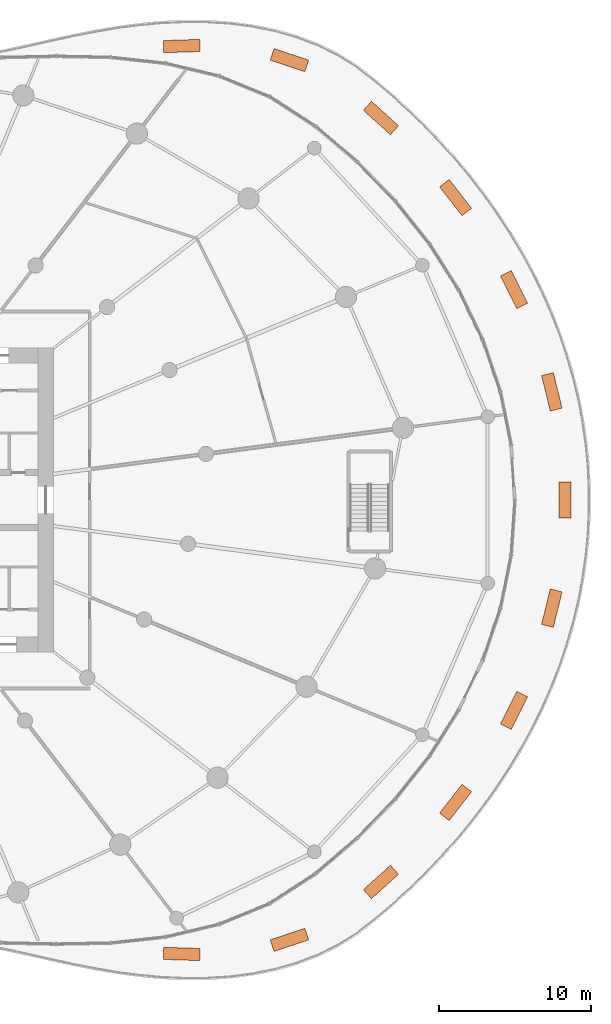
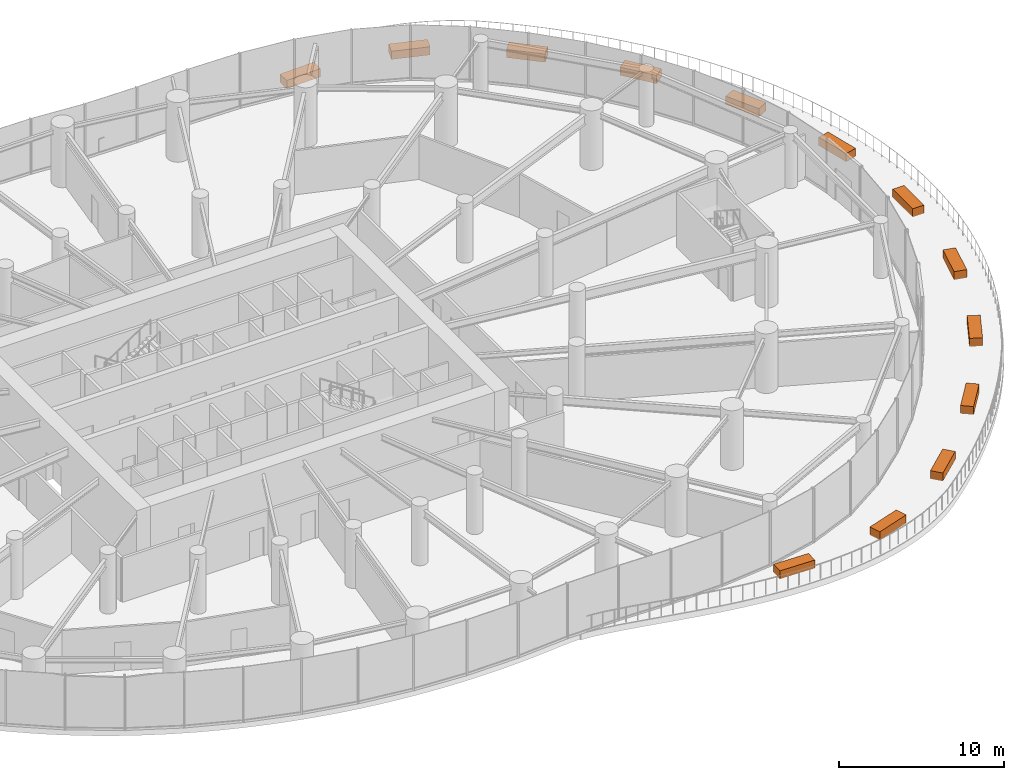
# One storey, part 19 of 19: 13 proxies.
"""IFC4 building model written with IfcOpenShell, lengths in metres."""

import ifcopenshell
import ifcopenshell.guid

model = None  # the IFC model being written
_history = None  # IfcOwnerHistory: only IFC2X3 demands one
_inside = {}  # id of a spatial element -> (the spatial element, [elements in it])
_under = {}  # id of a project, library or spatial element -> (it, [spatial elements below it])
_declared = {}  # id of a project -> (the project, [libraries it declares])
_typed = {}  # id of a type object -> (the type object, [elements of that type])
_made_of = {}  # id of a material, layer set ... -> (it, [elements and type objects made of it])


def new_model(schema):
    """Start an empty IFC model of exactly this schema.

    Asked for "IFC4X3", IfcOpenShell would pick the latest addendum, in which some entities
    have other attributes; the version numbers below select the first issue.
    IFC2X3 requires an IfcOwnerHistory on every rooted entity: one is made here for all.
    """
    global model, _history
    if schema == "IFC4X3":
        model = ifcopenshell.file(schema_version=(4, 3, 0, 0))
    else:
        model = ifcopenshell.file(schema=schema)
    _inside.clear()
    _under.clear()
    _declared.clear()
    _typed.clear()
    _made_of.clear()
    _history = None
    if model.schema == "IFC2X3":
        org = make("IfcOrganization", Name="unknown")
        user = make(
            "IfcPersonAndOrganization",
            ThePerson=make("IfcPerson", FamilyName="unknown"),
            TheOrganization=org,
        )
        app = make(
            "IfcApplication",
            ApplicationDeveloper=org,
            Version="unknown",
            ApplicationFullName="unknown",
            ApplicationIdentifier="unknown",
        )
        _history = make(
            "IfcOwnerHistory",
            OwningUser=user,
            OwningApplication=app,
            ChangeAction="ADDED",
            CreationDate=0,
        )
    return model


def make(cls, **values):
    """One entity of the class cls with the attributes given. An attribute that is None is left unset."""
    return model.create_entity(
        cls, **{name: value for name, value in values.items() if value is not None}
    )


def rooted(cls, **values):
    """An entity with a GlobalId (a new one), such as an element, a storey or a relation."""
    return make(cls, GlobalId=ifcopenshell.guid.new(), OwnerHistory=_history, **values)


def si_unit(unit_type, name, prefix=None):
    """IfcSIUnit, for example si_unit("LENGTHUNIT", "METRE", prefix="MILLI")."""
    return make("IfcSIUnit", UnitType=unit_type, Prefix=prefix, Name=name)


def assignment(units):
    """IfcUnitAssignment: the units of a project."""
    return None if units is None else make("IfcUnitAssignment", Units=units)


def point(xyz):
    """IfcCartesianPoint."""
    return None if xyz is None else make("IfcCartesianPoint", Coordinates=xyz)


def direction(xyz):
    """IfcDirection."""
    return None if xyz is None else make("IfcDirection", DirectionRatios=xyz)


def frame(location, z_axis=None, x_axis=None):
    """IfcAxis2Placement3D, a coordinate frame: its origin and axes. An axis left out is left unset."""
    return make(
        "IfcAxis2Placement3D",
        Location=point(location),
        Axis=direction(z_axis),
        RefDirection=direction(x_axis),
    )


def frame_2d(location, x_axis=None):
    """IfcAxis2Placement2D, a coordinate frame in the plane: its origin and x axis."""
    return make(
        "IfcAxis2Placement2D", Location=point(location), RefDirection=direction(x_axis)
    )


def origin():
    """The frame at (0, 0, 0) with its axes left unset."""
    return frame((0.0, 0.0, 0.0))


def origin_2d():
    """The frame at (0, 0) in the plane with its x axis left unset."""
    return frame_2d((0.0, 0.0))


def place(relative_to, where):
    """IfcLocalPlacement: puts the frame where relative to a parent placement (None: the world)."""
    return make(
        "IfcLocalPlacement", PlacementRelTo=relative_to, RelativePlacement=where
    )


def context(
    kind, dimensions, precision=None, world=None, true_north=None, identifier=None
):
    """IfcGeometricRepresentationContext, for example the 3D "Model" context."""
    return make(
        "IfcGeometricRepresentationContext",
        ContextIdentifier=identifier,
        ContextType=kind,
        CoordinateSpaceDimension=dimensions,
        Precision=precision,
        WorldCoordinateSystem=world,
        TrueNorth=true_north,
    )


def subcontext(parent, identifier, kind, view, scale=None):
    """IfcGeometricRepresentationSubContext, for example "Body" below "Model"."""
    return make(
        "IfcGeometricRepresentationSubContext",
        ContextIdentifier=identifier,
        ContextType=kind,
        ParentContext=parent,
        TargetScale=scale,
        TargetView=view,
    )


def project(units=None, contexts=None):
    """IfcProject with its units and contexts."""
    return rooted(
        "IfcProject",
        Name="project",
        RepresentationContexts=contexts,
        UnitsInContext=assignment(units),
    )


def spatial(cls, under=None, at=None, **own):
    """A site, building, storey or space (cls), placed at a placement, below another one or the project."""
    s = rooted(cls, ObjectPlacement=at, **own)
    if under is not None:
        _under.setdefault(under.id(), (under, []))[1].append(s)
    return s


def profile(cls, at=None, kind="AREA", **sizes):
    """A parametric profile (cls). Its sizes go by their IFC names, for example OverallWidth=200.0."""
    return make(cls, ProfileType=kind, Position=at, **sizes)


def rectangle(**sizes):
    """IfcRectangleProfileDef."""
    return profile("IfcRectangleProfileDef", **sizes)


def extrude(swept, where, along, depth):
    """IfcExtrudedAreaSolid: the profile swept, set in the frame where, extruded along a direction by depth."""
    return make(
        "IfcExtrudedAreaSolid",
        SweptArea=swept,
        Position=where,
        ExtrudedDirection=direction(along),
        Depth=depth,
    )


def shape(context_of_items, identifier, shape_type, items):
    """IfcShapeRepresentation: the items that make up one representation, for example the "Body"."""
    return make(
        "IfcShapeRepresentation",
        ContextOfItems=context_of_items,
        RepresentationIdentifier=identifier,
        RepresentationType=shape_type,
        Items=items,
    )


def source(mapping_origin, context_of_items, identifier, shape_type, items):
    """IfcRepresentationMap: a shape defined once, which mapped items show again and again."""
    return make(
        "IfcRepresentationMap",
        MappingOrigin=mapping_origin,
        MappedRepresentation=shape(context_of_items, identifier, shape_type, items),
    )


def transform(
    local_origin,
    x_axis=None,
    y_axis=None,
    z_axis=None,
    scale=None,
    scale2=None,
    scale3=None,
    uniform=True,
):
    """IfcCartesianTransformationOperator3D, or its non-uniform kind. x_axis, y_axis, z_axis: its Axis1, 2, 3."""
    if uniform:
        return make(
            "IfcCartesianTransformationOperator3D",
            Axis1=direction(x_axis),
            Axis2=direction(y_axis),
            LocalOrigin=point(local_origin),
            Scale=scale,
            Axis3=direction(z_axis),
        )
    return make(
        "IfcCartesianTransformationOperator3DnonUniform",
        Axis1=direction(x_axis),
        Axis2=direction(y_axis),
        LocalOrigin=point(local_origin),
        Scale=scale,
        Axis3=direction(z_axis),
        Scale2=scale2,
        Scale3=scale3,
    )


def mapped(mapping_source, mapping_target):
    """IfcMappedItem: shows the shape of a source again, moved by a transform."""
    return make(
        "IfcMappedItem", MappingSource=mapping_source, MappingTarget=mapping_target
    )


def made_of(thing, what):
    """Note that an element or type object is made of a material, layer set ...; save() writes the relation."""
    if what is not None:
        _made_of.setdefault(what.id(), (what, []))[1].append(thing)
    return thing


def element(
    cls,
    number,
    at=None,
    inside=None,
    cuts=None,
    type_object=None,
    material=None,
    context=None,
    identifier="Body",
    shape_type=None,
    held_by="IfcProductDefinitionShape",
    body=None,
    shapes=None,
    **own,
):
    """One element of the class cls, such as IfcWall. Its Tag is "e" and its number.

    at: its placement. inside: the storey or other place that contains it. cuts: it is an
    opening in that element (IfcRelVoidsElement). A single representation is given by context,
    identifier, shape_type and body (its items); several are given by shapes. held_by: the class
    of the entity that holds the representations. save() writes the other relations.
    """
    e = rooted(cls, Tag="e%d" % number, ObjectPlacement=at, **own)
    if body is not None:
        shapes = [shape(context, identifier, shape_type, body)]
    if shapes is not None:
        e.Representation = make(held_by, Representations=shapes)
    if inside is not None:
        _inside.setdefault(inside.id(), (inside, []))[1].append(e)
    if cuts is not None:
        rooted(
            "IfcRelVoidsElement", RelatingBuildingElement=cuts, RelatedOpeningElement=e
        )
    if type_object is not None:
        _typed.setdefault(type_object.id(), (type_object, []))[1].append(e)
    return made_of(e, material)


def aggregate(whole, parts):
    """IfcRelAggregates: a whole, such as a stair, and the parts it consists of."""
    return rooted("IfcRelAggregates", RelatingObject=whole, RelatedObjects=parts)


def save(model, path):
    """Write the relations noted so far, then the file.

    IfcRelAggregates (storeys below a building ...), IfcRelContainedInSpatialStructure (elements
    in a storey), IfcRelDefinesByType, IfcRelAssociatesMaterial and IfcRelDeclares: one each for
    every whole, place, type object, material and project.
    """
    for whole, parts in _under.values():
        aggregate(whole, parts)
    for where, things in _inside.values():
        rooted(
            "IfcRelContainedInSpatialStructure",
            RelatedElements=things,
            RelatingStructure=where,
        )
    for kind, things in _typed.values():
        rooted("IfcRelDefinesByType", RelatedObjects=things, RelatingType=kind)
    for what, things in _made_of.values():
        rooted("IfcRelAssociatesMaterial", RelatedObjects=things, RelatingMaterial=what)
    for by, libraries in _declared.values():
        rooted("IfcRelDeclares", RelatingContext=by, RelatedDefinitions=libraries)
    model.write(path)


model = new_model("IFC4")

# Units and contexts
model_context = context("Model", 3, precision=1e-05, world=origin(), true_north=direction((0.0, 1.0)))
body_context = subcontext(model_context, "Body", "Model", "MODEL_VIEW")
ifc_project = project(units=[si_unit("LENGTHUNIT", "METRE"), si_unit("AREAUNIT", "SQUARE_METRE"), si_unit("VOLUMEUNIT", "CUBIC_METRE"), si_unit("PLANEANGLEUNIT", "RADIAN"), si_unit("MASSUNIT", "GRAM", prefix="KILO")], contexts=[model_context])

# Site, building, storey
site_placement = place(None, origin())
site = spatial("IfcSite", under=ifc_project, at=site_placement, CompositionType="ELEMENT")
building_placement = place(site_placement, origin())
building = spatial("IfcBuilding", under=site, at=building_placement, Name="Spindrift Exchange Tower", CompositionType="ELEMENT")
storey_placement = place(building_placement, frame((0.0, 0.0, 13.800048828125)))
storey = spatial("IfcBuildingStorey", under=building, at=storey_placement, Name="L03", CompositionType="ELEMENT", Elevation=13.800048828125)

# Proxies
shared_shape = source(origin(), body_context, "Body", "SweptSolid", [
    extrude(rectangle(XDim=2.39990234375, YDim=0.800048828125, at=origin_2d()), origin(), (0.0, 0.0, 1.0), 0.60009765625),
])
for number, where, z_axis, x_axis, name in (
    (1, (73.443359375, 77.85986328125, 0.0), (0.0, 0.0, 1.0), (0.999575663124, 0.029128915017, 0.0), "L03 PLANTER 01"),
    (2, (80.530029296875, 76.931396484375, 0.0), (0.0, 0.0, 1.0), (0.948927784555, -0.3154933592, 0.0), "L03 PLANTER 02"),
    (3, (86.548095703125, 73.1259765625, 0.0), (0.0, 0.0, 1.0), (0.744175156953, -0.667984532586, 0.0), "L03 PLANTER 03"),
    (4, (91.456298828125, 67.89306640625, 0.0), (0.0, 0.0, 1.0), (0.614895121136, -0.788608895463, 0.0), "L03 PLANTER 04"),
    (5, (95.302001953125, 61.83935546875, 0.0), (0.0, 0.0, 1.0), (0.447105079473, -0.894481440785, 0.0), "L03 PLANTER 05"),
    (6, (97.7861328125, 55.114501953125, 0.0), (0.0, 0.0, 1.0), (0.237662157891, -0.971347877285, 0.0), "L03 PLANTER 06"),
    (7, (98.64990234375, 48.0, 0.0), (0.0, 0.0, 1.0), (0.0, -1.0, 0.0), "L03 PLANTER 07"),
    (8, (97.7861328125, 40.885498046875, 0.0), (0.0, 0.0, 1.0), (-0.237662157891, -0.971347877285, 0.0), "L03 PLANTER 08"),
    (9, (95.302001953125, 34.16064453125, 0.0), (0.0, 0.0, 1.0), (-0.447105079473, -0.894481440785, 0.0), "L03 PLANTER 09"),
    (10, (91.456298828125, 28.10693359375, 0.0), (0.0, 0.0, 1.0), (-0.614893744753, -0.788609968656, 0.0), "L03 PLANTER 10"),
    (11, (86.548095703125, 22.8740234375, 0.0), (0.0, 0.0, 1.0), (-0.744173991099, -0.667985831415, 0.0), "L03 PLANTER 11"),
    (12, (80.5302734375, 19.068603515625, 0.0), (0.0, 0.0, 1.0), (-0.94892668327, -0.315496671581, 0.0), "L03 PLANTER 12"),
    (13, (73.443359375, 18.14013671875, 0.0), (0.0, 0.0, 1.0), (-0.999575663124, 0.029128915017, 0.0), "L03 PLANTER 13"),
):
    element("IfcBuildingElementProxy", number, at=place(storey_placement, frame(where, z_axis=z_axis, x_axis=x_axis)), inside=storey, Name=name, ObjectType="PLANTER", PredefinedType="USERDEFINED", context=body_context, shape_type="MappedRepresentation", body=[
        mapped(shared_shape, transform((0.0, 0.0, 0.0), scale=1.0)),
    ])

save(model, "model.ifc")
